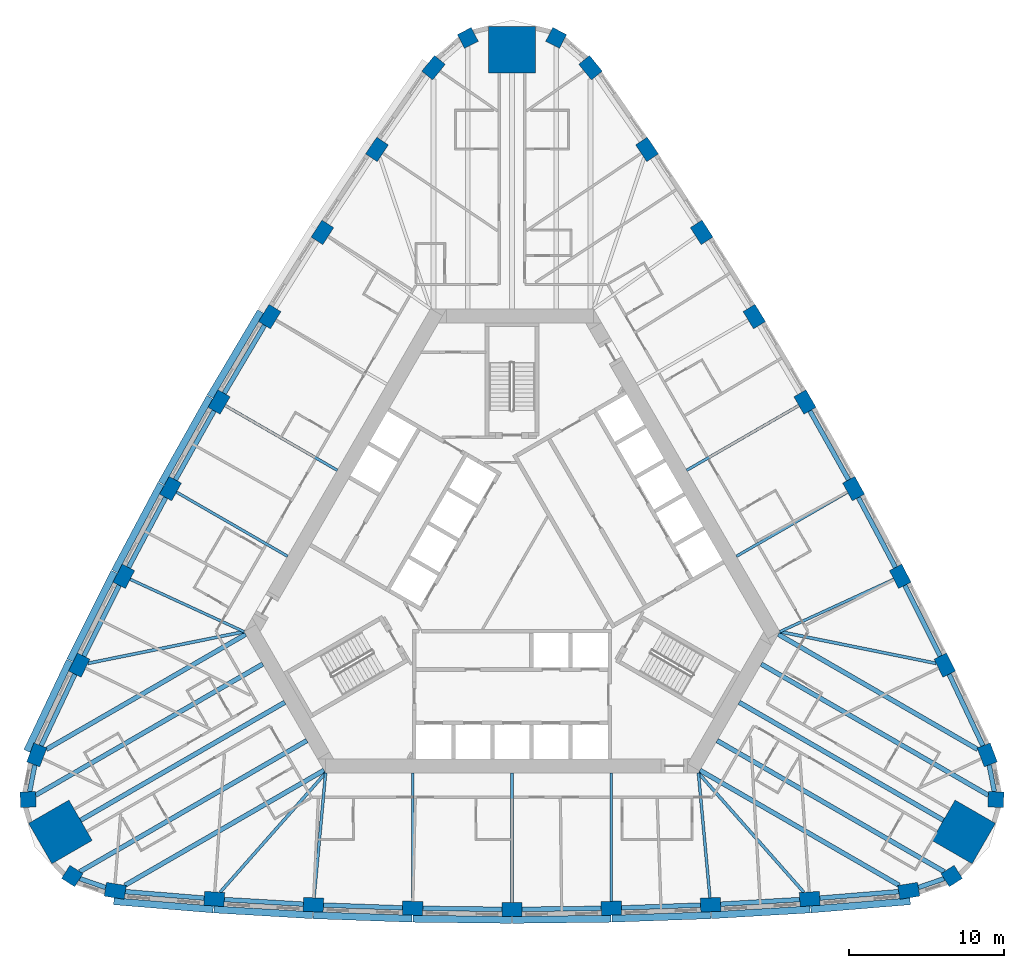
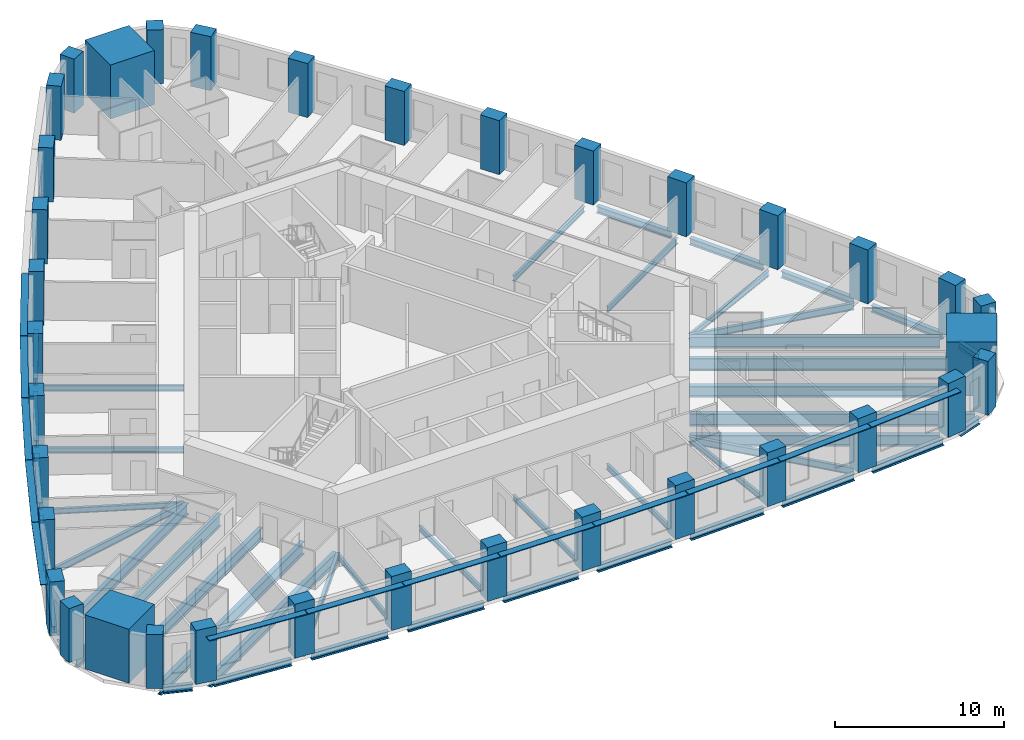
# One storey, part 1 of 13: 46 beams, 36 columns, 13 members.
"""IFC4 building model written with IfcOpenShell, lengths in metres."""

import ifcopenshell
import ifcopenshell.guid

model = None  # the IFC model being written
_history = None  # IfcOwnerHistory: only IFC2X3 demands one
_inside = {}  # id of a spatial element -> (the spatial element, [elements in it])
_under = {}  # id of a project, library or spatial element -> (it, [spatial elements below it])
_declared = {}  # id of a project -> (the project, [libraries it declares])
_typed = {}  # id of a type object -> (the type object, [elements of that type])
_made_of = {}  # id of a material, layer set ... -> (it, [elements and type objects made of it])


def new_model(schema):
    """Start an empty IFC model of exactly this schema.

    Asked for "IFC4X3", IfcOpenShell would pick the latest addendum, in which some entities
    have other attributes; the version numbers below select the first issue.
    IFC2X3 requires an IfcOwnerHistory on every rooted entity: one is made here for all.
    """
    global model, _history
    if schema == "IFC4X3":
        model = ifcopenshell.file(schema_version=(4, 3, 0, 0))
    else:
        model = ifcopenshell.file(schema=schema)
    _inside.clear()
    _under.clear()
    _declared.clear()
    _typed.clear()
    _made_of.clear()
    _history = None
    if model.schema == "IFC2X3":
        org = make("IfcOrganization", Name="unknown")
        user = make(
            "IfcPersonAndOrganization",
            ThePerson=make("IfcPerson", FamilyName="unknown"),
            TheOrganization=org,
        )
        app = make(
            "IfcApplication",
            ApplicationDeveloper=org,
            Version="unknown",
            ApplicationFullName="unknown",
            ApplicationIdentifier="unknown",
        )
        _history = make(
            "IfcOwnerHistory",
            OwningUser=user,
            OwningApplication=app,
            ChangeAction="ADDED",
            CreationDate=0,
        )
    return model


def make(cls, **values):
    """One entity of the class cls with the attributes given. An attribute that is None is left unset."""
    return model.create_entity(
        cls, **{name: value for name, value in values.items() if value is not None}
    )


def rooted(cls, **values):
    """An entity with a GlobalId (a new one), such as an element, a storey or a relation."""
    return make(cls, GlobalId=ifcopenshell.guid.new(), OwnerHistory=_history, **values)


def si_unit(unit_type, name, prefix=None):
    """IfcSIUnit, for example si_unit("LENGTHUNIT", "METRE", prefix="MILLI")."""
    return make("IfcSIUnit", UnitType=unit_type, Prefix=prefix, Name=name)


def assignment(units):
    """IfcUnitAssignment: the units of a project."""
    return None if units is None else make("IfcUnitAssignment", Units=units)


def point(xyz):
    """IfcCartesianPoint."""
    return None if xyz is None else make("IfcCartesianPoint", Coordinates=xyz)


def direction(xyz):
    """IfcDirection."""
    return None if xyz is None else make("IfcDirection", DirectionRatios=xyz)


def frame(location, z_axis=None, x_axis=None):
    """IfcAxis2Placement3D, a coordinate frame: its origin and axes. An axis left out is left unset."""
    return make(
        "IfcAxis2Placement3D",
        Location=point(location),
        Axis=direction(z_axis),
        RefDirection=direction(x_axis),
    )


def frame_2d(location, x_axis=None):
    """IfcAxis2Placement2D, a coordinate frame in the plane: its origin and x axis."""
    return make(
        "IfcAxis2Placement2D", Location=point(location), RefDirection=direction(x_axis)
    )


def origin():
    """The frame at (0, 0, 0) with its axes left unset."""
    return frame((0.0, 0.0, 0.0))


def origin_2d():
    """The frame at (0, 0) in the plane with its x axis left unset."""
    return frame_2d((0.0, 0.0))


def place(relative_to, where):
    """IfcLocalPlacement: puts the frame where relative to a parent placement (None: the world)."""
    return make(
        "IfcLocalPlacement", PlacementRelTo=relative_to, RelativePlacement=where
    )


def context(
    kind, dimensions, precision=None, world=None, true_north=None, identifier=None
):
    """IfcGeometricRepresentationContext, for example the 3D "Model" context."""
    return make(
        "IfcGeometricRepresentationContext",
        ContextIdentifier=identifier,
        ContextType=kind,
        CoordinateSpaceDimension=dimensions,
        Precision=precision,
        WorldCoordinateSystem=world,
        TrueNorth=true_north,
    )


def subcontext(parent, identifier, kind, view, scale=None):
    """IfcGeometricRepresentationSubContext, for example "Body" below "Model"."""
    return make(
        "IfcGeometricRepresentationSubContext",
        ContextIdentifier=identifier,
        ContextType=kind,
        ParentContext=parent,
        TargetScale=scale,
        TargetView=view,
    )


def project(units=None, contexts=None):
    """IfcProject with its units and contexts."""
    return rooted(
        "IfcProject",
        Name="project",
        RepresentationContexts=contexts,
        UnitsInContext=assignment(units),
    )


def spatial(cls, under=None, at=None, **own):
    """A site, building, storey or space (cls), placed at a placement, below another one or the project."""
    s = rooted(cls, ObjectPlacement=at, **own)
    if under is not None:
        _under.setdefault(under.id(), (under, []))[1].append(s)
    return s


def profile(cls, at=None, kind="AREA", **sizes):
    """A parametric profile (cls). Its sizes go by their IFC names, for example OverallWidth=200.0."""
    return make(cls, ProfileType=kind, Position=at, **sizes)


def rectangle(**sizes):
    """IfcRectangleProfileDef."""
    return profile("IfcRectangleProfileDef", **sizes)


def i_section(**sizes):
    """IfcIShapeProfileDef."""
    return profile("IfcIShapeProfileDef", **sizes)


def extrude(swept, where, along, depth):
    """IfcExtrudedAreaSolid: the profile swept, set in the frame where, extruded along a direction by depth."""
    return make(
        "IfcExtrudedAreaSolid",
        SweptArea=swept,
        Position=where,
        ExtrudedDirection=direction(along),
        Depth=depth,
    )


def shape(context_of_items, identifier, shape_type, items):
    """IfcShapeRepresentation: the items that make up one representation, for example the "Body"."""
    return make(
        "IfcShapeRepresentation",
        ContextOfItems=context_of_items,
        RepresentationIdentifier=identifier,
        RepresentationType=shape_type,
        Items=items,
    )


def material(Name=None, Category=None):
    """IfcMaterial."""
    return make("IfcMaterial", Name=Name, Category=Category)


def material_profile(
    of_material, cross_section, Name=None, Category=None, Priority=None
):
    """IfcMaterialProfile: a cross section and its material."""
    return make(
        "IfcMaterialProfile",
        Name=Name,
        Material=of_material,
        Profile=cross_section,
        Priority=Priority,
        Category=Category,
    )


def profile_set(profiles, Name=None, composite=None):
    """IfcMaterialProfileSet."""
    return make(
        "IfcMaterialProfileSet",
        Name=Name,
        MaterialProfiles=profiles,
        CompositeProfile=composite,
    )


def made_of(thing, what):
    """Note that an element or type object is made of a material, layer set ...; save() writes the relation."""
    if what is not None:
        _made_of.setdefault(what.id(), (what, []))[1].append(thing)
    return thing


def type_object(cls, material=None, **own):
    """A type object (cls), such as IfcWallType, which elements share."""
    return made_of(rooted(cls, **own), material)


def element(
    cls,
    number,
    at=None,
    inside=None,
    cuts=None,
    type_object=None,
    material=None,
    context=None,
    identifier="Body",
    shape_type=None,
    held_by="IfcProductDefinitionShape",
    body=None,
    shapes=None,
    **own,
):
    """One element of the class cls, such as IfcWall. Its Tag is "e" and its number.

    at: its placement. inside: the storey or other place that contains it. cuts: it is an
    opening in that element (IfcRelVoidsElement). A single representation is given by context,
    identifier, shape_type and body (its items); several are given by shapes. held_by: the class
    of the entity that holds the representations. save() writes the other relations.
    """
    e = rooted(cls, Tag="e%d" % number, ObjectPlacement=at, **own)
    if body is not None:
        shapes = [shape(context, identifier, shape_type, body)]
    if shapes is not None:
        e.Representation = make(held_by, Representations=shapes)
    if inside is not None:
        _inside.setdefault(inside.id(), (inside, []))[1].append(e)
    if cuts is not None:
        rooted(
            "IfcRelVoidsElement", RelatingBuildingElement=cuts, RelatedOpeningElement=e
        )
    if type_object is not None:
        _typed.setdefault(type_object.id(), (type_object, []))[1].append(e)
    return made_of(e, material)


def aggregate(whole, parts):
    """IfcRelAggregates: a whole, such as a stair, and the parts it consists of."""
    return rooted("IfcRelAggregates", RelatingObject=whole, RelatedObjects=parts)


def save(model, path):
    """Write the relations noted so far, then the file.

    IfcRelAggregates (storeys below a building ...), IfcRelContainedInSpatialStructure (elements
    in a storey), IfcRelDefinesByType, IfcRelAssociatesMaterial and IfcRelDeclares: one each for
    every whole, place, type object, material and project.
    """
    for whole, parts in _under.values():
        aggregate(whole, parts)
    for where, things in _inside.values():
        rooted(
            "IfcRelContainedInSpatialStructure",
            RelatedElements=things,
            RelatingStructure=where,
        )
    for kind, things in _typed.values():
        rooted("IfcRelDefinesByType", RelatedObjects=things, RelatingType=kind)
    for what, things in _made_of.values():
        rooted("IfcRelAssociatesMaterial", RelatedObjects=things, RelatingMaterial=what)
    for by, libraries in _declared.values():
        rooted("IfcRelDeclares", RelatingContext=by, RelatedDefinitions=libraries)
    model.write(path)


model = new_model("IFC4")

# Units and contexts
model_context = context("Model", 3, precision=1e-05, world=origin(), true_north=direction((0.0, 1.0)))
body_context = subcontext(model_context, "Body", "Model", "MODEL_VIEW")
ifc_project = project(units=[si_unit("LENGTHUNIT", "METRE"), si_unit("AREAUNIT", "SQUARE_METRE"), si_unit("VOLUMEUNIT", "CUBIC_METRE"), si_unit("PLANEANGLEUNIT", "RADIAN"), si_unit("MASSUNIT", "GRAM", prefix="KILO")], contexts=[model_context])

# Site, building, storey
site_placement = place(None, origin())
site = spatial("IfcSite", under=ifc_project, at=site_placement, CompositionType="ELEMENT")
building_placement = place(site_placement, origin())
building = spatial("IfcBuilding", under=site, at=building_placement, Name="Mestral Congress Tower", CompositionType="ELEMENT")
storey_placement = place(building_placement, frame((0.0, 0.0, 87.60009765625)))
storey = spatial("IfcBuildingStorey", under=building, at=storey_placement, Name="L20", CompositionType="ELEMENT", Elevation=87.60009765625)

# Columns
ifc_material_1 = material(Name="Concrete C70/85", Category="concrete")
ifc_material_profile_1 = material_profile(ifc_material_1, rectangle(XDim=1.0, YDim=1.0, at=origin_2d()), Name="RC 1000x1000")
ifc_profile_set_1 = profile_set([ifc_material_profile_1], Name="Concrete C70/85")
column_type_1 = type_object("IfcColumnType", Name="Column RC 1000x1000 C70/85", PredefinedType="COLUMN", material=ifc_profile_set_1)
for number, where, z_axis, x_axis, name in (
    (1, (28.331298828125, -19.642822265625, 0.0), (0.0, 0.0, 1.0), (0.841700252504, 0.53994507585, 0.0), "COL-L20-C2-SE1"),
    (2, (31.1767578125, -14.714111328125, 0.0), (0.0, 0.0, 1.0), (0.046756026083, 0.998906338965, 0.0), "COL-L20-C2-SE3"),
    (3, (2.845703125, 34.35693359375, 0.0), (0.0, 0.0, 1.0), (-0.888456278587, 0.458961263115, 0.0), "COL-L20-C2-N1"),
    (4, (-2.845703125, 34.35693359375, 0.0), (0.0, 0.0, 1.0), (-0.888456278587, -0.458961263115, 0.0), "COL-L20-C2-N3"),
    (5, (-31.1767578125, -14.714111328125, 0.0), (0.0, 0.0, 1.0), (0.046756026083, -0.998906338965, 0.0), "COL-L20-C2-SW1"),
    (6, (-28.331298828125, -19.642822265625, 0.0), (0.0, 0.0, 1.0), (0.841700252504, -0.53994507585, 0.0), "COL-L20-C2-SW3"),
):
    element("IfcColumn", number, at=place(storey_placement, frame(where, z_axis=z_axis, x_axis=x_axis)), inside=storey, type_object=column_type_1, Name=name, PredefinedType="COLUMN", context=body_context, shape_type="SweptSolid", body=[
        extrude(rectangle(XDim=1.0, YDim=1.0, at=origin_2d()), origin(), (0.0, 0.0, 1.0), 3.89990234375),
    ])
ifc_material_profile_2 = material_profile(ifc_material_1, rectangle(XDim=1.300048828125, YDim=0.89990234375, at=origin_2d()), Name="RC 1300x900")
ifc_profile_set_2 = profile_set([ifc_material_profile_2], Name="Concrete C70/85")
column_type_2 = type_object("IfcColumnType", Name="Column RC 1300x900 C70/85", PredefinedType="COLUMN", material=ifc_profile_set_2)
for number, where, z_axis, x_axis, name in (
    (7, (-25.562744140625, -20.59716796875, 0.0), (0.0, 0.0, 1.0), (0.987202314361, -0.159472851987, 0.0), "COL-L20-C2-S00"),
    (8, (-19.184326171875, -21.120361328125, 0.0), (0.0, 0.0, 1.0), (0.997539884588, -0.07010120296, 0.0), "COL-L20-C2-S01"),
    (9, (-12.79541015625, -21.494384765625, 0.0), (0.0, 0.0, 1.0), (0.998906338965, -0.046756026083, 0.0), "COL-L20-C2-S02"),
    (10, (-6.3994140625, -21.71875, 0.0), (0.0, 0.0, 1.0), (0.99972656776, -0.023383535144, 0.0), "COL-L20-C2-S03"),
    (11, (0.0, -21.793701171875, 0.0), (0.0, 0.0, 1.0), (1.0, 0.0, 0.0), "COL-L20-C2-S04"),
    (12, (6.3994140625, -21.71875, 0.0), (0.0, 0.0, 1.0), (0.99972656776, 0.023383535144, 0.0), "COL-L20-C2-S05"),
    (13, (12.79541015625, -21.494384765625, 0.0), (0.0, 0.0, 1.0), (0.998906338965, 0.046756026083, 0.0), "COL-L20-C2-S06"),
    (14, (19.184326171875, -21.120361328125, 0.0), (0.0, 0.0, 1.0), (0.997539884588, 0.07010120296, 0.0), "COL-L20-C2-S07"),
    (15, (25.562744140625, -20.59716796875, 0.0), (0.0, 0.0, 1.0), (0.987202314361, 0.159472851987, 0.0), "COL-L20-C2-S08"),
    (16, (30.618896484375, -11.83935546875, 0.0), (0.0, 0.0, 1.0), (-0.355493616145, 0.934678708905, 0.0), "COL-L20-C2-E00"),
    (17, (27.8828125, -6.0537109375, 0.0), (0.0, 0.0, 1.0), (-0.438060519695, 0.898945482821, 0.0), "COL-L20-C2-E01"),
    (18, (25.01220703125, -0.333984375, 0.0), (0.0, 0.0, 1.0), (-0.458961263115, 0.888456278587, 0.0), "COL-L20-C2-E02"),
    (19, (22.0087890625, 5.3173828125, 0.0), (0.0, 0.0, 1.0), (-0.479612548415, 0.87748037209, 0.0), "COL-L20-C2-E03"),
    (20, (18.873779296875, 10.896728515625, 0.0), (0.0, 0.0, 1.0), (-0.5, 0.866025403784, 0.0), "COL-L20-C2-E04"),
    (21, (15.609375, 16.401611328125, 0.0), (0.0, 0.0, 1.0), (-0.520114019344, 0.854096836946, 0.0), "COL-L20-C2-E05"),
    (22, (12.217041015625, 21.828369140625, 0.0), (0.0, 0.0, 1.0), (-0.53994507585, 0.841700252504, 0.0), "COL-L20-C2-E06"),
    (23, (8.69873046875, 27.17431640625, 0.0), (0.0, 0.0, 1.0), (-0.559479364893, 0.828844279861, 0.0), "COL-L20-C2-E07"),
    (24, (5.056396484375, 32.4365234375, 0.0), (0.0, 0.0, 1.0), (-0.631708698215, 0.775205856918, 0.0), "COL-L20-C2-E08"),
    (25, (-5.056396484375, 32.4365234375, 0.0), (0.0, 0.0, 1.0), (-0.631708698215, -0.775205856918, 0.0), "COL-L20-C2-W00"),
    (26, (-8.69873046875, 27.17431640625, 0.0), (0.0, 0.0, 1.0), (-0.559479364893, -0.828844279861, 0.0), "COL-L20-C2-W01"),
    (27, (-12.217041015625, 21.828369140625, 0.0), (0.0, 0.0, 1.0), (-0.53994507585, -0.841700252504, 0.0), "COL-L20-C2-W02"),
    (28, (-15.609375, 16.401611328125, 0.0), (0.0, 0.0, 1.0), (-0.520114019344, -0.854096836946, 0.0), "COL-L20-C2-W03"),
    (29, (-18.873779296875, 10.896728515625, 0.0), (0.0, 0.0, 1.0), (-0.5, -0.866025403784, 0.0), "COL-L20-C2-W04"),
    (30, (-22.0087890625, 5.3173828125, 0.0), (0.0, 0.0, 1.0), (-0.479612548415, -0.87748037209, 0.0), "COL-L20-C2-W05"),
    (31, (-25.01220703125, -0.333984375, 0.0), (0.0, 0.0, 1.0), (-0.458961263115, -0.888456278587, 0.0), "COL-L20-C2-W06"),
    (32, (-27.8828125, -6.0537109375, 0.0), (0.0, 0.0, 1.0), (-0.438060519695, -0.898945482821, 0.0), "COL-L20-C2-W07"),
    (33, (-30.618896484375, -11.83935546875, 0.0), (0.0, 0.0, 1.0), (-0.355493616145, -0.934678708905, 0.0), "COL-L20-C2-W08"),
):
    element("IfcColumn", number, at=place(storey_placement, frame(where, z_axis=z_axis, x_axis=x_axis)), inside=storey, type_object=column_type_2, Name=name, PredefinedType="COLUMN", context=body_context, shape_type="SweptSolid", body=[
        extrude(rectangle(XDim=1.300048828125, YDim=0.89990234375, at=origin_2d()), origin(), (0.0, 0.0, 1.0), 3.89990234375),
    ])
ifc_material_2 = material(Name="Concrete C80/95", Category="concrete")
ifc_material_profile_3 = material_profile(ifc_material_2, rectangle(XDim=3.0, YDim=3.0, at=origin_2d()), Name="RC 3000x3000")
ifc_profile_set_3 = profile_set([ifc_material_profile_3], Name="Concrete C80/95")
column_type_3 = type_object("IfcColumnType", Name="Mega column RC 3000x3000 C80/95", PredefinedType="COLUMN", material=ifc_profile_set_3)
for number, where, z_axis, x_axis, name in (
    (34, (29.09716796875, -16.79931640625, 0.0), (0.0, 0.0, 1.0), (0.866025403784, -0.5, 0.0), "COL-L20-PY2-SE"),
    (35, (0.0, 33.598388671875, 0.0), (0.0, 0.0, 1.0), (0.0, 1.0, 0.0), "COL-L20-PY2-N"),
    (36, (-29.09716796875, -16.79931640625, 0.0), (0.0, 0.0, 1.0), (-0.866025403784, -0.5, 0.0), "COL-L20-PY2-SW"),
):
    element("IfcColumn", number, at=place(storey_placement, frame(where, z_axis=z_axis, x_axis=x_axis)), inside=storey, type_object=column_type_3, Name=name, PredefinedType="COLUMN", context=body_context, shape_type="SweptSolid", body=[
        extrude(rectangle(XDim=3.0, YDim=3.0, at=origin_2d()), origin(), (0.0, 0.0, 1.0), 3.89990234375),
    ])

# Members
ifc_material_3 = material(Name="Glazed ceramic", Category="masonry")
ifc_material_profile_4 = material_profile(ifc_material_3, rectangle(XDim=0.449951171875, YDim=0.06005859375, at=origin_2d()), Name="Ceramic blade 450 x 60")
ifc_profile_set_4 = profile_set([ifc_material_profile_4], Name="Glazed ceramic")
member_type = type_object("IfcMemberType", Name="Facade sunshade blade 450 x 60", PredefinedType="USERDEFINED", material=ifc_profile_set_4)
member_1_placement = place(storey_placement, frame((-25.654296875, -21.266845703125, 3.27978515625), z_axis=(0.996650616323, -0.081777435656, 0.0), x_axis=(0.081777435656, 0.996650616323, 0.0)))
element("IfcMember", 37, at=member_1_placement, inside=storey, type_object=member_type, Name="Sunshade F0-00", ObjectType="SUNSHADE", PredefinedType="USERDEFINED", context=body_context, shape_type="SweptSolid", body=[
    extrude(rectangle(XDim=0.449951171875, YDim=0.06005859375, at=origin_2d()), origin(), (0.0, 0.0, 1.0), 6.421630859375),
])
for number, where, z_axis, x_axis, name in (
    (38, (-19.208984375, -21.795166015625, 3.27978515625), (0.998292825409, -0.05840748871, 0.0), (0.05840748871, 0.998292825409, 0.0), "Sunshade F0-01"),
    (39, (-12.80419921875, -22.16943359375, 3.27978515625), (0.999384970229, -0.035066811664, 0.0), (0.035066811664, 0.999384970229, 0.0), "Sunshade F0-02"),
    (40, (-6.392578125, -22.393798828125, 3.27978515625), (0.999931231966, -0.011727375608, 0.0), (0.011727375608, 0.999931231966, 0.0), "Sunshade F0-03"),
    (41, (0.022705078125, -22.468505859375, 3.27978515625), (0.999931231966, 0.011727375608, 0.0), (-0.011727375608, 0.999931231966, 0.0), "Sunshade F0-04"),
    (42, (6.437744140625, -22.392822265625, 3.27978515625), (0.999384970229, 0.035066811664, 0.0), (-0.035066811664, 0.999384970229, 0.0), "Sunshade F0-05"),
    (43, (12.849609375, -22.167236328125, 3.27978515625), (0.998292825409, 0.05840748871, 0.0), (-0.05840748871, 0.998292825409, 0.0), "Sunshade F0-06"),
):
    element("IfcMember", number, at=place(storey_placement, frame(where, z_axis=z_axis, x_axis=x_axis)), inside=storey, type_object=member_type, Name=name, ObjectType="SUNSHADE", PredefinedType="USERDEFINED", context=body_context, shape_type="SweptSolid", body=[
        extrude(rectangle(XDim=0.449951171875, YDim=0.06005859375, at=origin_2d()), origin(), (0.0, 0.0, 1.0), 6.370361328125),
    ])
member_2_placement = place(storey_placement, frame((19.254150390625, -21.7919921875, 3.27978515625), z_axis=(0.996650616323, 0.081777435656, 0.0), x_axis=(-0.081777435656, 0.996650616323, 0.0)))
element("IfcMember", 44, at=member_2_placement, inside=storey, type_object=member_type, Name="Sunshade F0-07", ObjectType="SUNSHADE", PredefinedType="USERDEFINED", context=body_context, shape_type="SweptSolid", body=[
    extrude(rectangle(XDim=0.449951171875, YDim=0.06005859375, at=origin_2d()), origin(), (0.0, 0.0, 1.0), 6.421630859375),
])
for number, where, z_axis, x_axis, name in (
    (45, (-16.197509765625, 16.733154296875, 3.27978515625), (-0.510098606231, -0.86011592935, 0.0), (0.86011592935, -0.510098606231, 0.0), "Sunshade F2-03"),
    (46, (-19.469482421875, 11.214599609375, 3.27978515625), (-0.489860886888, -0.871800614531, 0.0), (0.871800614531, -0.489860886888, 0.0), "Sunshade F2-04"),
    (47, (-22.61181640625, 5.62109375, 3.27978515625), (-0.469318672425, -0.883028869128, 0.0), (0.883028869128, -0.469318672425, 0.0), "Sunshade F2-05"),
):
    element("IfcMember", number, at=place(storey_placement, frame(where, z_axis=z_axis, x_axis=x_axis)), inside=storey, type_object=member_type, Name=name, ObjectType="SUNSHADE", PredefinedType="USERDEFINED", context=body_context, shape_type="SweptSolid", body=[
        extrude(rectangle(XDim=0.449951171875, YDim=0.06005859375, at=origin_2d()), origin(), (0.0, 0.0, 1.0), 6.370361328125),
    ])
member_3_placement = place(storey_placement, frame((-25.622314453125, -0.04443359375, 3.27978515625), z_axis=(-0.448531530965, -0.893767008638, 0.0), x_axis=(0.893767008638, -0.448531530965, 0.0)))
element("IfcMember", 48, at=member_3_placement, inside=storey, type_object=member_type, Name="Sunshade F2-06", ObjectType="SUNSHADE", PredefinedType="USERDEFINED", context=body_context, shape_type="SweptSolid", body=[
    extrude(rectangle(XDim=0.449951171875, YDim=0.06005859375, at=origin_2d()), origin(), (0.0, 0.0, 1.0), 6.3701171875),
])
member_4_placement = place(storey_placement, frame((-28.49951171875, -5.778564453125, 3.27978515625), z_axis=(-0.427519164001, -0.904006285604, 0.0), x_axis=(0.904006285604, -0.427519164001, 0.0)))
element("IfcMember", 49, at=member_4_placement, inside=storey, type_object=member_type, Name="Sunshade F2-07", ObjectType="SUNSHADE", PredefinedType="USERDEFINED", context=body_context, shape_type="SweptSolid", body=[
    extrude(rectangle(XDim=0.449951171875, YDim=0.06005859375, at=origin_2d()), origin(), (0.0, 0.0, 1.0), 6.421630859375),
])

# Beams
ifc_material_4 = material(Name="Steel S355", Category="steel")
ifc_material_profile_5 = material_profile(ifc_material_4, i_section(OverallWidth=0.300048828125, OverallDepth=0.800048828125, WebThickness=0.017578125, FlangeThickness=0.032958984375, FilletRadius=0.030029296875, at=origin_2d()), Name="HEB 800")
ifc_profile_set_5 = profile_set([ifc_material_profile_5], Name="Steel S355")
beam_type_1 = type_object("IfcBeamType", Name="Floor beam HEB 800 S355", PredefinedType="BEAM", material=ifc_profile_set_5)
for number, where, z_axis, x_axis, name in (
    (50, (-24.94580078125, -20.240966796875, -0.650146484375), (0.866025146382, 0.500000445834, 0.0), (-0.500000445834, 0.866025146382, 0.0), "BM-L20-RB2-S00"),
    (51, (24.94580078125, -20.240966796875, -0.650146484375), (-0.866025146382, 0.500000445834, 0.0), (-0.500000445834, -0.866025146382, 0.0), "BM-L20-RB2-S08"),
):
    element("IfcBeam", number, at=place(storey_placement, frame(where, z_axis=z_axis, x_axis=x_axis)), inside=storey, type_object=beam_type_1, Name=name, PredefinedType="BEAM", context=body_context, shape_type="SweptSolid", body=[
        extrude(i_section(OverallWidth=0.300048828125, OverallDepth=0.800048828125, WebThickness=0.017578125, FlangeThickness=0.032958984375, FilletRadius=0.030029296875, at=origin_2d()), origin(), (0.0, 0.0, 1.0), 14.82421875),
    ])
beam_1_placement = place(storey_placement, frame((27.798095703125, -16.04931640625, -0.650146484375), z_axis=(-0.866023213189, 0.500003794204, 0.0), x_axis=(-0.500003794204, -0.866023213189, 0.0)))
element("IfcBeam", 52, at=beam_1_placement, inside=storey, type_object=beam_type_1, Name="BM-L20-RB2-SE", PredefinedType="BEAM", context=body_context, shape_type="SweptSolid", body=[
    extrude(i_section(OverallWidth=0.300048828125, OverallDepth=0.800048828125, WebThickness=0.017578125, FlangeThickness=0.032958984375, FilletRadius=0.030029296875, at=origin_2d()), origin(), (0.0, 0.0, 1.0), 15.19873046875),
])
for number, where, z_axis, x_axis, name in (
    (53, (30.002197265625, -11.483154296875, -0.650146484375), (-0.866025146382, 0.500000445834, 0.0), (-0.500000445834, -0.866025146382, 0.0), "BM-L20-RB2-E00"),
    (54, (-30.002197265625, -11.483154296875, -0.650146484375), (0.866025146382, 0.500000445834, 0.0), (-0.500000445834, 0.866025146382, 0.0), "BM-L20-RB2-W08"),
):
    element("IfcBeam", number, at=place(storey_placement, frame(where, z_axis=z_axis, x_axis=x_axis)), inside=storey, type_object=beam_type_1, Name=name, PredefinedType="BEAM", context=body_context, shape_type="SweptSolid", body=[
        extrude(i_section(OverallWidth=0.300048828125, OverallDepth=0.800048828125, WebThickness=0.017578125, FlangeThickness=0.032958984375, FilletRadius=0.030029296875, at=origin_2d()), origin(), (0.0, 0.0, 1.0), 14.82421875),
    ])
beam_2_placement = place(storey_placement, frame((-27.798095703125, -16.04931640625, -0.650146484375), z_axis=(0.866023213189, 0.500003794204, 0.0), x_axis=(-0.500003794204, 0.866023213189, 0.0)))
element("IfcBeam", 55, at=beam_2_placement, inside=storey, type_object=beam_type_1, Name="BM-L20-RB2-SW", PredefinedType="BEAM", context=body_context, shape_type="SweptSolid", body=[
    extrude(i_section(OverallWidth=0.300048828125, OverallDepth=0.800048828125, WebThickness=0.017578125, FlangeThickness=0.032958984375, FilletRadius=0.030029296875, at=origin_2d()), origin(), (0.0, 0.0, 1.0), 15.19873046875),
])
ifc_material_profile_6 = material_profile(ifc_material_4, i_section(OverallWidth=0.300048828125, OverallDepth=0.89990234375, WebThickness=0.0185546875, FlangeThickness=0.034912109375, FilletRadius=0.030029296875, at=origin_2d()), Name="HEB 900")
ifc_profile_set_6 = profile_set([ifc_material_profile_6], Name="Steel S355")
beam_type_2 = type_object("IfcBeamType", Name="Floor beam HEB 900 S355", PredefinedType="BEAM", material=ifc_profile_set_6)
beam_3_placement = place(storey_placement, frame((27.84375, -19.361328125, -0.7001953125), z_axis=(-0.866024587677, 0.500001413537, 0.0), x_axis=(-0.500001413537, -0.866024587677, 0.0)))
element("IfcBeam", 56, at=beam_3_placement, inside=storey, type_object=beam_type_2, Name="BM-L20-RB2-SE1", PredefinedType="BEAM", context=body_context, shape_type="SweptSolid", body=[
    extrude(i_section(OverallWidth=0.300048828125, OverallDepth=0.89990234375, WebThickness=0.0185546875, FlangeThickness=0.034912109375, FilletRadius=0.030029296875, at=origin_2d()), origin(), (0.0, 0.0, 1.0), 16.89404296875),
])
for number, where, z_axis, x_axis, name in (
    (57, (30.689453125, -14.4326171875, -0.7001953125), (-0.866028200461, 0.499995155983, 0.0), (-0.499995155983, -0.866028200461, 0.0), "BM-L20-RB2-SE3"),
    (58, (-30.689453125, -14.4326171875, -0.7001953125), (0.866028200461, 0.499995155983, 0.0), (-0.499995155983, 0.866028200461, 0.0), "BM-L20-RB2-SW1"),
):
    element("IfcBeam", number, at=place(storey_placement, frame(where, z_axis=z_axis, x_axis=x_axis)), inside=storey, type_object=beam_type_2, Name=name, PredefinedType="BEAM", context=body_context, shape_type="SweptSolid", body=[
        extrude(i_section(OverallWidth=0.300048828125, OverallDepth=0.89990234375, WebThickness=0.0185546875, FlangeThickness=0.034912109375, FilletRadius=0.030029296875, at=origin_2d()), origin(), (0.0, 0.0, 1.0), 16.894287109375),
    ])
beam_4_placement = place(storey_placement, frame((-27.84375, -19.361328125, -0.7001953125), z_axis=(0.866024587677, 0.500001413537, 0.0), x_axis=(-0.500001413537, 0.866024587677, 0.0)))
element("IfcBeam", 59, at=beam_4_placement, inside=storey, type_object=beam_type_2, Name="BM-L20-RB2-SW3", PredefinedType="BEAM", context=body_context, shape_type="SweptSolid", body=[
    extrude(i_section(OverallWidth=0.300048828125, OverallDepth=0.89990234375, WebThickness=0.0185546875, FlangeThickness=0.034912109375, FilletRadius=0.030029296875, at=origin_2d()), origin(), (0.0, 0.0, 1.0), 16.89404296875),
])
ifc_material_profile_7 = material_profile(ifc_material_4, i_section(OverallWidth=0.179931640625, OverallDepth=0.39990234375, WebThickness=0.008544921875, FlangeThickness=0.013427734375, FilletRadius=0.02099609375, at=origin_2d()), Name="IPE 400")
ifc_profile_set_7 = profile_set([ifc_material_profile_7], Name="Steel S355")
beam_type_3 = type_object("IfcBeamType", Name="Floor beam IPE 400 S355", PredefinedType="BEAM", material=ifc_profile_set_7)
beam_5_placement = place(storey_placement, frame((-12.753662109375, -21.0458984375, -0.4501953125), z_axis=(0.092183786594, 0.995742009503, 0.0), x_axis=(-0.995742009503, 0.092183786594, 0.0)))
element("IfcBeam", 60, at=beam_5_placement, inside=storey, type_object=beam_type_3, Name="BM-L20-RB2-S02", PredefinedType="BEAM", context=body_context, shape_type="SweptSolid", body=[
    extrude(i_section(OverallWidth=0.179931640625, OverallDepth=0.39990234375, WebThickness=0.008544921875, FlangeThickness=0.013427734375, FilletRadius=0.02099609375, at=origin_2d()), origin(), (0.0, 0.0, 1.0), 8.080322265625),
])
beam_6_placement = place(storey_placement, frame((-6.3994140625, -21.268798828125, -0.4501953125), z_axis=(0.0, 1.0, 0.0), x_axis=(-1.0, 0.0, 0.0)))
element("IfcBeam", 61, at=beam_6_placement, inside=storey, type_object=beam_type_3, Name="BM-L20-RB2-S03", PredefinedType="BEAM", context=body_context, shape_type="SweptSolid", body=[
    extrude(i_section(OverallWidth=0.179931640625, OverallDepth=0.39990234375, WebThickness=0.008544921875, FlangeThickness=0.013427734375, FilletRadius=0.02099609375, at=origin_2d()), origin(), (0.0, 0.0, 1.0), 8.268798828125),
])
beam_7_placement = place(storey_placement, frame((0.0, -21.343505859375, -0.4501953125), z_axis=(0.0, 1.0, 0.0), x_axis=(-1.0, 0.0, 0.0)))
element("IfcBeam", 62, at=beam_7_placement, inside=storey, type_object=beam_type_3, Name="BM-L20-RB2-S04", PredefinedType="BEAM", context=body_context, shape_type="SweptSolid", body=[
    extrude(i_section(OverallWidth=0.179931640625, OverallDepth=0.39990234375, WebThickness=0.008544921875, FlangeThickness=0.013427734375, FilletRadius=0.02099609375, at=origin_2d()), origin(), (0.0, 0.0, 1.0), 8.343505859375),
])
beam_8_placement = place(storey_placement, frame((6.3994140625, -21.268798828125, -0.4501953125), z_axis=(0.0, 1.0, 0.0), x_axis=(-1.0, 0.0, 0.0)))
element("IfcBeam", 63, at=beam_8_placement, inside=storey, type_object=beam_type_3, Name="BM-L20-RB2-S05", PredefinedType="BEAM", context=body_context, shape_type="SweptSolid", body=[
    extrude(i_section(OverallWidth=0.179931640625, OverallDepth=0.39990234375, WebThickness=0.008544921875, FlangeThickness=0.013427734375, FilletRadius=0.02099609375, at=origin_2d()), origin(), (0.0, 0.0, 1.0), 8.268798828125),
])
beam_9_placement = place(storey_placement, frame((12.753662109375, -21.0458984375, -0.4501953125), z_axis=(-0.092183786594, 0.995742009503, 0.0), x_axis=(-0.995742009503, -0.092183786594, 0.0)))
element("IfcBeam", 64, at=beam_9_placement, inside=storey, type_object=beam_type_3, Name="BM-L20-RB2-S06", PredefinedType="BEAM", context=body_context, shape_type="SweptSolid", body=[
    extrude(i_section(OverallWidth=0.179931640625, OverallDepth=0.39990234375, WebThickness=0.008544921875, FlangeThickness=0.013427734375, FilletRadius=0.02099609375, at=origin_2d()), origin(), (0.0, 0.0, 1.0), 8.080322265625),
])
beam_10_placement = place(storey_placement, frame((24.60302734375, -0.522216796875, -0.4501953125), z_axis=(-0.908437217841, -0.418021316731, 0.0), x_axis=(0.418021316731, -0.908437217841, 0.0)))
element("IfcBeam", 65, at=beam_10_placement, inside=storey, type_object=beam_type_3, Name="BM-L20-RB2-E02", PredefinedType="BEAM", context=body_context, shape_type="SweptSolid", body=[
    extrude(i_section(OverallWidth=0.179931640625, OverallDepth=0.39990234375, WebThickness=0.008544921875, FlangeThickness=0.013427734375, FilletRadius=0.02099609375, at=origin_2d()), origin(), (0.0, 0.0, 1.0), 8.080078125),
])
beam_11_placement = place(storey_placement, frame((21.618896484375, 5.09228515625, -0.4501953125), z_axis=(-0.866028737439, -0.499994225897, 0.0), x_axis=(0.499994225897, -0.866028737439, 0.0)))
element("IfcBeam", 66, at=beam_11_placement, inside=storey, type_object=beam_type_3, Name="BM-L20-RB2-E03", PredefinedType="BEAM", context=body_context, shape_type="SweptSolid", body=[
    extrude(i_section(OverallWidth=0.179931640625, OverallDepth=0.39990234375, WebThickness=0.008544921875, FlangeThickness=0.013427734375, FilletRadius=0.02099609375, at=origin_2d()), origin(), (0.0, 0.0, 1.0), 8.2685546875),
])
for number, where, z_axis, x_axis, name in (
    (67, (18.484130859375, 10.671875, -0.4501953125), (-0.86602332482, -0.500003600855, 0.0), (0.500003600855, -0.86602332482, 0.0), "BM-L20-RB2-E04"),
    (68, (-18.484130859375, 10.671875, -0.4501953125), (0.86602332482, -0.500003600855, 0.0), (0.500003600855, 0.86602332482, 0.0), "BM-L20-RB2-W04"),
):
    element("IfcBeam", number, at=place(storey_placement, frame(where, z_axis=z_axis, x_axis=x_axis)), inside=storey, type_object=beam_type_3, Name=name, PredefinedType="BEAM", context=body_context, shape_type="SweptSolid", body=[
        extrude(i_section(OverallWidth=0.179931640625, OverallDepth=0.39990234375, WebThickness=0.008544921875, FlangeThickness=0.013427734375, FilletRadius=0.02099609375, at=origin_2d()), origin(), (0.0, 0.0, 1.0), 8.34375),
    ])
beam_12_placement = place(storey_placement, frame((-21.618896484375, 5.09228515625, -0.4501953125), z_axis=(0.866028737439, -0.499994225897, 0.0), x_axis=(0.499994225897, 0.866028737439, 0.0)))
element("IfcBeam", 69, at=beam_12_placement, inside=storey, type_object=beam_type_3, Name="BM-L20-RB2-W05", PredefinedType="BEAM", context=body_context, shape_type="SweptSolid", body=[
    extrude(i_section(OverallWidth=0.179931640625, OverallDepth=0.39990234375, WebThickness=0.008544921875, FlangeThickness=0.013427734375, FilletRadius=0.02099609375, at=origin_2d()), origin(), (0.0, 0.0, 1.0), 8.2685546875),
])
beam_13_placement = place(storey_placement, frame((-24.60302734375, -0.522216796875, -0.4501953125), z_axis=(0.908437217841, -0.418021316731, 0.0), x_axis=(0.418021316731, 0.908437217841, 0.0)))
element("IfcBeam", 70, at=beam_13_placement, inside=storey, type_object=beam_type_3, Name="BM-L20-RB2-W06", PredefinedType="BEAM", context=body_context, shape_type="SweptSolid", body=[
    extrude(i_section(OverallWidth=0.179931640625, OverallDepth=0.39990234375, WebThickness=0.008544921875, FlangeThickness=0.013427734375, FilletRadius=0.02099609375, at=origin_2d()), origin(), (0.0, 0.0, 1.0), 8.080078125),
])
ifc_material_profile_8 = material_profile(ifc_material_4, i_section(OverallWidth=0.199951171875, OverallDepth=0.5, WebThickness=0.01025390625, FlangeThickness=0.01611328125, FilletRadius=0.02099609375, at=origin_2d()), Name="IPE 500")
ifc_profile_set_8 = profile_set([ifc_material_profile_8], Name="Steel S355")
beam_type_4 = type_object("IfcBeamType", Name="Floor beam IPE 500 S355", PredefinedType="BEAM", material=ifc_profile_set_8)
for number, where, z_axis, x_axis, name in (
    (71, (-18.80908203125, -20.695556640625, -0.5), (0.662174203587, 0.749349934346, 0.0), (-0.749349934346, 0.662174203587, 0.0), "BM-L20-RB2-S01"),
    (72, (18.80908203125, -20.695556640625, -0.5), (-0.662174203587, 0.749349934346, 0.0), (-0.749349934346, -0.662174203587, 0.0), "BM-L20-RB2-S07"),
    (73, (27.327392578125, -5.941162109375, -0.5), (-0.980046767137, 0.198767035052, 0.0), (-0.198767035052, -0.980046767137, 0.0), "BM-L20-RB2-E01"),
    (74, (-27.327392578125, -5.941162109375, -0.5), (0.980046767137, 0.198767035052, 0.0), (-0.198767035052, 0.980046767137, 0.0), "BM-L20-RB2-W07"),
):
    element("IfcBeam", number, at=place(storey_placement, frame(where, z_axis=z_axis, x_axis=x_axis)), inside=storey, type_object=beam_type_4, Name=name, PredefinedType="BEAM", context=body_context, shape_type="SweptSolid", body=[
        extrude(i_section(OverallWidth=0.199951171875, OverallDepth=0.5, WebThickness=0.01025390625, FlangeThickness=0.01611328125, FilletRadius=0.02099609375, at=origin_2d()), origin(), (0.0, 0.0, 1.0), 10.26953125),
    ])
ifc_material_profile_9 = material_profile(ifc_material_4, i_section(OverallWidth=0.300048828125, OverallDepth=0.489990234375, WebThickness=0.011962890625, FlangeThickness=0.02294921875, FilletRadius=0.027099609375, at=origin_2d()), Name="HEA 500")
ifc_profile_set_9 = profile_set([ifc_material_profile_9], Name="Steel S355")
beam_type_5 = type_object("IfcBeamType", Name="Spandrel beam HEA 500 S355", PredefinedType="BEAM", material=ifc_profile_set_9)
beam_14_placement = place(storey_placement, frame((-24.912841796875, -20.650390625, -0.4951171875), z_axis=(0.996652597162, -0.081753290887, 0.0), x_axis=(0.081753290887, 0.996652597162, 0.0)))
element("IfcBeam", 75, at=beam_14_placement, inside=storey, type_object=beam_type_5, Name="SP-L20-SB2-S00", PredefinedType="BEAM", context=body_context, shape_type="SweptSolid", body=[
    extrude(i_section(OverallWidth=0.300048828125, OverallDepth=0.489990234375, WebThickness=0.011962890625, FlangeThickness=0.02294921875, FilletRadius=0.027099609375, at=origin_2d()), origin(), (0.0, 0.0, 1.0), 5.09765625),
])
for number, where, z_axis, x_axis, name in (
    (76, (-18.535400390625, -21.158447265625, -0.4951171875), (0.998292976718, -0.058404902489, 0.0), (0.058404902489, 0.998292976718, 0.0), "SP-L20-SB2-S01"),
    (77, (-12.145751953125, -21.51708984375, -0.4951171875), (0.999384139945, -0.035090466305, 0.0), (0.035090466305, 0.999384139945, 0.0), "SP-L20-SB2-S02"),
    (78, (-5.74951171875, -21.726318359375, -0.4951171875), (0.999931780034, -0.011680551241, 0.0), (0.011680551241, 0.999931780034, 0.0), "SP-L20-SB2-S03"),
    (79, (0.64990234375, -21.785888671875, -0.4951171875), (0.999931780034, 0.011680551241, 0.0), (-0.011680551241, 0.999931780034, 0.0), "SP-L20-SB2-S04"),
    (80, (7.049072265625, -21.696044921875, -0.4951171875), (0.999384139945, 0.035090466305, 0.0), (-0.035090466305, 0.999384139945, 0.0), "SP-L20-SB2-S05"),
    (81, (13.4443359375, -21.456298828125, -0.4951171875), (0.998292976718, 0.058404902489, 0.0), (-0.058404902489, 0.998292976718, 0.0), "SP-L20-SB2-S06"),
):
    element("IfcBeam", number, at=place(storey_placement, frame(where, z_axis=z_axis, x_axis=x_axis)), inside=storey, type_object=beam_type_5, Name=name, PredefinedType="BEAM", context=body_context, shape_type="SweptSolid", body=[
        extrude(i_section(OverallWidth=0.300048828125, OverallDepth=0.489990234375, WebThickness=0.011962890625, FlangeThickness=0.02294921875, FilletRadius=0.027099609375, at=origin_2d()), origin(), (0.0, 0.0, 1.0), 5.099853515625),
    ])
beam_15_placement = place(storey_placement, frame((19.832275390625, -21.067138671875, -0.4951171875), z_axis=(0.996652597162, 0.081753290887, 0.0), x_axis=(-0.081753290887, 0.996652597162, 0.0)))
element("IfcBeam", 82, at=beam_15_placement, inside=storey, type_object=beam_type_5, Name="SP-L20-SB2-S07", PredefinedType="BEAM", context=body_context, shape_type="SweptSolid", body=[
    extrude(i_section(OverallWidth=0.300048828125, OverallDepth=0.489990234375, WebThickness=0.011962890625, FlangeThickness=0.02294921875, FilletRadius=0.027099609375, at=origin_2d()), origin(), (0.0, 0.0, 1.0), 5.09765625),
])
for number, where, z_axis, x_axis, name in (
    (83, (26.186279296875, -20.382080078125, -0.4951171875), (0.945433605893, 0.325814819873, 0.0), (-0.325814819873, 0.945433605893, 0.0), "SP-L20-SB2-S08"),
    (84, (31.078857421875, -14.208984375, -0.4951171875), (-0.190545536928, 0.981678357894, 0.0), (-0.981678357894, -0.190545536928, 0.0), "SP-L20-SB2-SE3"),
):
    element("IfcBeam", number, at=place(storey_placement, frame(where, z_axis=z_axis, x_axis=x_axis)), inside=storey, type_object=beam_type_5, Name=name, PredefinedType="BEAM", context=body_context, shape_type="SweptSolid", body=[
        extrude(i_section(OverallWidth=0.300048828125, OverallDepth=0.489990234375, WebThickness=0.011962890625, FlangeThickness=0.02294921875, FilletRadius=0.027099609375, at=origin_2d()), origin(), (0.0, 0.0, 1.0), 1.754150390625),
    ])
beam_16_placement = place(storey_placement, frame((30.34033203125, -11.25, -0.4951171875), z_axis=(-0.427509849729, 0.904010690415, 0.0), x_axis=(-0.904010690415, -0.427509849729, 0.0)))
element("IfcBeam", 85, at=beam_16_placement, inside=storey, type_object=beam_type_5, Name="SP-L20-SB2-E00", PredefinedType="BEAM", context=body_context, shape_type="SweptSolid", body=[
    extrude(i_section(OverallWidth=0.300048828125, OverallDepth=0.489990234375, WebThickness=0.011962890625, FlangeThickness=0.02294921875, FilletRadius=0.027099609375, at=origin_2d()), origin(), (0.0, 0.0, 1.0), 5.097900390625),
])
for number, where, z_axis, x_axis, name in (
    (86, (27.59130859375, -5.472900390625, -0.4951171875), (-0.448515247182, 0.89377518037, 0.0), (-0.89377518037, -0.448515247182, 0.0), "SP-L20-SB2-E01"),
    (87, (24.707275390625, 0.239990234375, -0.4951171875), (-0.469288226496, 0.883045050081, 0.0), (-0.883045050081, -0.469288226496, 0.0), "SP-L20-SB2-E02"),
    (88, (21.6904296875, 5.884033203125, -0.4951171875), (-0.489836148985, 0.871814514187, 0.0), (-0.871814514187, -0.489836148985, 0.0), "SP-L20-SB2-E03"),
    (89, (-15.94091796875, 15.84228515625, -0.4951171875), (-0.510081870963, -0.860125854114, 0.0), (0.860125854114, -0.510081870963, 0.0), "SP-L20-SB2-W03"),
    (90, (-19.1923828125, 10.330078125, -0.4951171875), (-0.489836148985, -0.871814514187, 0.0), (0.871814514187, -0.489836148985, 0.0), "SP-L20-SB2-W04"),
    (91, (-22.31396484375, 4.743408203125, -0.4951171875), (-0.469288226496, -0.883045050081, 0.0), (0.883045050081, -0.469288226496, 0.0), "SP-L20-SB2-W05"),
    (92, (-25.303955078125, -0.914794921875, -0.4951171875), (-0.448515247182, -0.89377518037, 0.0), (0.89377518037, -0.448515247182, 0.0), "SP-L20-SB2-W06"),
):
    element("IfcBeam", number, at=place(storey_placement, frame(where, z_axis=z_axis, x_axis=x_axis)), inside=storey, type_object=beam_type_5, Name=name, PredefinedType="BEAM", context=body_context, shape_type="SweptSolid", body=[
        extrude(i_section(OverallWidth=0.300048828125, OverallDepth=0.489990234375, WebThickness=0.011962890625, FlangeThickness=0.02294921875, FilletRadius=0.027099609375, at=origin_2d()), origin(), (0.0, 0.0, 1.0), 5.099853515625),
    ])
beam_17_placement = place(storey_placement, frame((-28.160888671875, -6.641357421875, -0.4951171875), z_axis=(-0.427509849729, -0.904010690415, 0.0), x_axis=(0.904010690415, -0.427509849729, 0.0)))
element("IfcBeam", 93, at=beam_17_placement, inside=storey, type_object=beam_type_5, Name="SP-L20-SB2-W07", PredefinedType="BEAM", context=body_context, shape_type="SweptSolid", body=[
    extrude(i_section(OverallWidth=0.300048828125, OverallDepth=0.489990234375, WebThickness=0.011962890625, FlangeThickness=0.02294921875, FilletRadius=0.027099609375, at=origin_2d()), origin(), (0.0, 0.0, 1.0), 5.097900390625),
])
for number, where, z_axis, x_axis, name in (
    (94, (-30.74462890625, -12.487060546875, -0.4951171875), (-0.190545536928, -0.981678357894, 0.0), (0.981678357894, -0.190545536928, 0.0), "SP-L20-SB2-W08"),
    (95, (-27.8447265625, -19.810546875, -0.4951171875), (0.945433605893, -0.325814819873, 0.0), (0.325814819873, 0.945433605893, 0.0), "SP-L20-SB2-SW3"),
):
    element("IfcBeam", number, at=place(storey_placement, frame(where, z_axis=z_axis, x_axis=x_axis)), inside=storey, type_object=beam_type_5, Name=name, PredefinedType="BEAM", context=body_context, shape_type="SweptSolid", body=[
        extrude(i_section(OverallWidth=0.300048828125, OverallDepth=0.489990234375, WebThickness=0.011962890625, FlangeThickness=0.02294921875, FilletRadius=0.027099609375, at=origin_2d()), origin(), (0.0, 0.0, 1.0), 1.754150390625),
    ])

save(model, "model.ifc")
